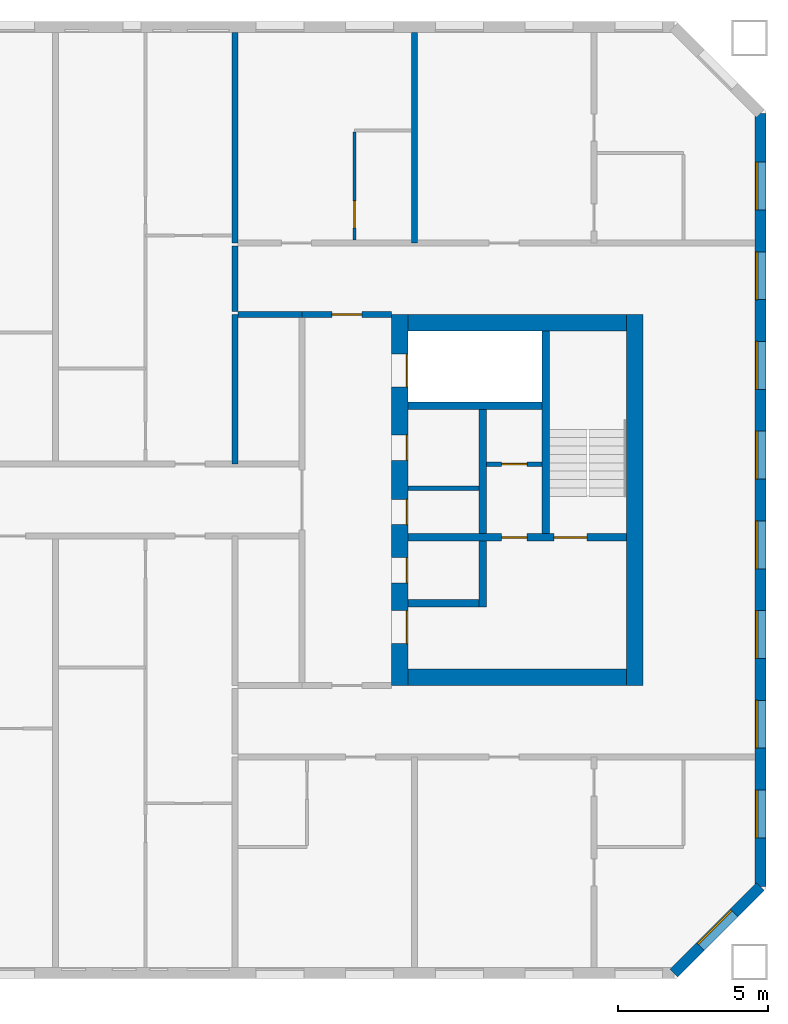
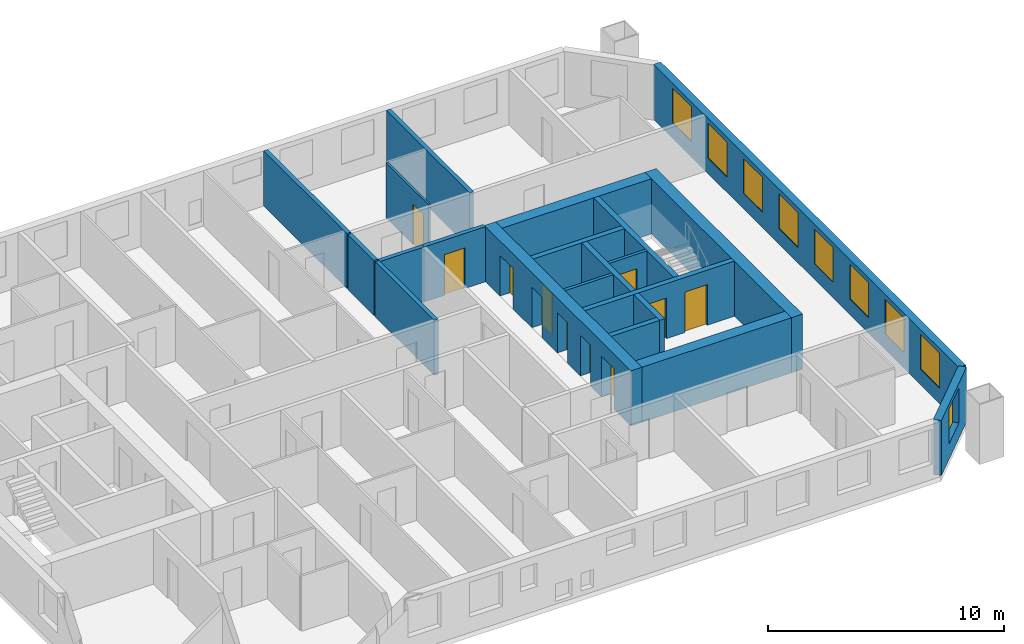
# One storey, part 13 of 16: 21 walls, 10 doors, 9 windows, 19 openings.
"""IFC4 building model written with IfcOpenShell, lengths in metres."""

from ifc_helpers import new_model, si_unit, direction, frame, frame_2d, origin, place, context, subcontext, project, spatial, rectangle, extrude, material, layer, layer_set, type_object, element, fill, save


model = new_model("IFC4")

# Units and contexts
model_context = context("Model", 3, precision=1e-05, world=origin(), true_north=direction((0.0, 1.0)))
body_context = subcontext(model_context, "Body", "Model", "MODEL_VIEW")
ifc_project = project(units=[si_unit("LENGTHUNIT", "METRE"), si_unit("AREAUNIT", "SQUARE_METRE"), si_unit("VOLUMEUNIT", "CUBIC_METRE"), si_unit("PLANEANGLEUNIT", "RADIAN"), si_unit("MASSUNIT", "GRAM", prefix="KILO")], contexts=[model_context])

# Site, building, storey
site_placement = place(None, origin())
site = spatial("IfcSite", under=ifc_project, at=site_placement, CompositionType="ELEMENT")
building_placement = place(site_placement, origin())
building = spatial("IfcBuilding", under=site, at=building_placement, Name="Tuart Gate Housing", CompositionType="ELEMENT")
storey_placement = place(building_placement, frame((0.0, 0.0, 139.199951171875)))
storey = spatial("IfcBuildingStorey", under=building, at=storey_placement, Name="L39", CompositionType="ELEMENT", Elevation=139.199951171875)

# Wall, opening, window
ifc_material_1 = material(Name="Brick", Category="masonry")
ifc_layer_1 = layer(ifc_material_1, 0.360107421875)
ifc_layer_set_1 = layer_set([ifc_layer_1], Name="Brick pier and spandrel wall 360")
wall_type_1 = type_object("IfcWallType", Name="Brick pier and spandrel wall 360", PredefinedType="STANDARD", material=ifc_layer_set_1)
wall_1_placement = place(storey_placement, frame((169.67529296875, 54.179931640625, 0.0), z_axis=(0.0, 0.0, 1.0), x_axis=(0.707106781187, 0.707106781187, 0.0)))
wall_1 = element("IfcWall", 1, at=wall_1_placement, inside=storey, type_object=wall_type_1, Name="External wall B-SE L39", PredefinedType="STANDARD", context=body_context, shape_type="SweptSolid", body=[
    extrude(rectangle(XDim=4.09375, YDim=0.360107421875, at=frame_2d((2.046875, 0.0))), origin(), (0.0, 0.0, 1.0), 2.85009765625),
])
opening_1_placement = place(wall_1_placement, frame((1.2470703125, 0.0, 0.800048828125)))
opening_1 = element("IfcOpeningElement", 2, at=opening_1_placement, cuts=wall_1, Name="Opening W1", PredefinedType="OPENING", context=body_context, shape_type="SweptSolid", body=[
    extrude(rectangle(XDim=1.60009765625, YDim=1.800048828125, at=frame_2d((0.800048828125, 0.89990234375))), frame((0.0, 0.18994140625, 0.0), z_axis=(0.0, -1.0, 0.0), x_axis=(1.0, 0.0, 0.0)), (0.0, 0.0, 1.0), 0.380126953125),
])
ifc_material_2 = material(Name="Aluminium frame with clear glass", Category="aluminium")
window_type = type_object("IfcWindowType", Name="Punched window 1600 x 1800", PartitioningType="SINGLE_PANEL", PredefinedType="WINDOW", material=ifc_material_2)
window_1_placement = place(opening_1_placement, origin())
window_1 = element("IfcWindow", 3, at=window_1_placement, inside=storey, type_object=window_type, Name="Window W1", OverallHeight=1.800048828125, OverallWidth=1.60009765625, PartitioningType="SINGLE_PANEL", PredefinedType="WINDOW", context=body_context, shape_type="SweptSolid", body=[
    extrude(rectangle(XDim=1.60009765625, YDim=1.800048828125, at=frame_2d((0.800048828125, 0.89990234375))), frame((0.0, 0.150146484375, 0.0), z_axis=(0.0, -1.0, 0.0), x_axis=(1.0, 0.0, 0.0)), (0.0, 0.0, 1.0), 0.06005859375),
])
fill(opening_1, window_1)

# Wall, openings, windows
wall_2_placement = place(storey_placement, frame((172.570068359375, 57.07470703125, 0.0), z_axis=(0.0, 0.0, 1.0), x_axis=(0.0, 1.0, 0.0)))
wall_2 = element("IfcWall", 4, at=wall_2_placement, inside=storey, type_object=wall_type_1, Name="External wall B-E L39", PredefinedType="STANDARD", context=body_context, shape_type="SweptSolid", body=[
    extrude(rectangle(XDim=25.850830078125, YDim=0.360107421875, at=frame_2d((12.92529296875, 0.0))), origin(), (0.0, 0.0, 1.0), 2.85009765625),
])
opening_2_placement = place(wall_2_placement, frame((1.62548828125, 0.0, 0.800048828125)))
opening_2 = element("IfcOpeningElement", 5, at=opening_2_placement, cuts=wall_2, Name="Opening W1", PredefinedType="OPENING", context=body_context, shape_type="SweptSolid", body=[
    extrude(rectangle(XDim=1.60009765625, YDim=1.800048828125, at=frame_2d((0.800048828125, 0.89990234375))), frame((0.0, 0.18994140625, 0.0), z_axis=(0.0, -1.0, 0.0), x_axis=(1.0, 0.0, 0.0)), (0.0, 0.0, 1.0), 0.380126953125),
])
opening_3_placement = place(wall_2_placement, frame((4.62548828125, 0.0, 0.800048828125)))
opening_3 = element("IfcOpeningElement", 6, at=opening_3_placement, cuts=wall_2, Name="Opening W1", PredefinedType="OPENING", context=body_context, shape_type="SweptSolid", body=[
    extrude(rectangle(XDim=1.60009765625, YDim=1.800048828125, at=frame_2d((0.800048828125, 0.89990234375))), frame((0.0, 0.18994140625, 0.0), z_axis=(0.0, -1.0, 0.0), x_axis=(1.0, 0.0, 0.0)), (0.0, 0.0, 1.0), 0.380126953125),
])
opening_4_placement = place(wall_2_placement, frame((7.62548828125, 0.0, 0.800048828125)))
opening_4 = element("IfcOpeningElement", 7, at=opening_4_placement, cuts=wall_2, Name="Opening W1", PredefinedType="OPENING", context=body_context, shape_type="SweptSolid", body=[
    extrude(rectangle(XDim=1.60009765625, YDim=1.800048828125, at=frame_2d((0.800048828125, 0.89990234375))), frame((0.0, 0.18994140625, 0.0), z_axis=(0.0, -1.0, 0.0), x_axis=(1.0, 0.0, 0.0)), (0.0, 0.0, 1.0), 0.380126953125),
])
opening_5_placement = place(wall_2_placement, frame((10.62548828125, 0.0, 0.800048828125)))
opening_5 = element("IfcOpeningElement", 8, at=opening_5_placement, cuts=wall_2, Name="Opening W1", PredefinedType="OPENING", context=body_context, shape_type="SweptSolid", body=[
    extrude(rectangle(XDim=1.60009765625, YDim=1.800048828125, at=frame_2d((0.800048828125, 0.89990234375))), frame((0.0, 0.18994140625, 0.0), z_axis=(0.0, -1.0, 0.0), x_axis=(1.0, 0.0, 0.0)), (0.0, 0.0, 1.0), 0.380126953125),
])
opening_6_placement = place(wall_2_placement, frame((13.62548828125, 0.0, 0.800048828125)))
opening_6 = element("IfcOpeningElement", 9, at=opening_6_placement, cuts=wall_2, Name="Opening W1", PredefinedType="OPENING", context=body_context, shape_type="SweptSolid", body=[
    extrude(rectangle(XDim=1.60009765625, YDim=1.800048828125, at=frame_2d((0.800048828125, 0.89990234375))), frame((0.0, 0.18994140625, 0.0), z_axis=(0.0, -1.0, 0.0), x_axis=(1.0, 0.0, 0.0)), (0.0, 0.0, 1.0), 0.380126953125),
])
opening_7_placement = place(wall_2_placement, frame((16.62548828125, 0.0, 0.800048828125)))
opening_7 = element("IfcOpeningElement", 10, at=opening_7_placement, cuts=wall_2, Name="Opening W1", PredefinedType="OPENING", context=body_context, shape_type="SweptSolid", body=[
    extrude(rectangle(XDim=1.60009765625, YDim=1.800048828125, at=frame_2d((0.800048828125, 0.89990234375))), frame((0.0, 0.18994140625, 0.0), z_axis=(0.0, -1.0, 0.0), x_axis=(1.0, 0.0, 0.0)), (0.0, 0.0, 1.0), 0.380126953125),
])
opening_8_placement = place(wall_2_placement, frame((19.62548828125, 0.0, 0.800048828125)))
opening_8 = element("IfcOpeningElement", 11, at=opening_8_placement, cuts=wall_2, Name="Opening W1", PredefinedType="OPENING", context=body_context, shape_type="SweptSolid", body=[
    extrude(rectangle(XDim=1.60009765625, YDim=1.800048828125, at=frame_2d((0.800048828125, 0.89990234375))), frame((0.0, 0.18994140625, 0.0), z_axis=(0.0, -1.0, 0.0), x_axis=(1.0, 0.0, 0.0)), (0.0, 0.0, 1.0), 0.380126953125),
])
opening_9_placement = place(wall_2_placement, frame((22.62548828125, 0.0, 0.800048828125)))
opening_9 = element("IfcOpeningElement", 12, at=opening_9_placement, cuts=wall_2, Name="Opening W1", PredefinedType="OPENING", context=body_context, shape_type="SweptSolid", body=[
    extrude(rectangle(XDim=1.60009765625, YDim=1.800048828125, at=frame_2d((0.800048828125, 0.89990234375))), frame((0.0, 0.18994140625, 0.0), z_axis=(0.0, -1.0, 0.0), x_axis=(1.0, 0.0, 0.0)), (0.0, 0.0, 1.0), 0.380126953125),
])
window_2_placement = place(opening_2_placement, origin())
window_2 = element("IfcWindow", 13, at=window_2_placement, inside=storey, type_object=window_type, Name="Window W1", OverallHeight=1.800048828125, OverallWidth=1.60009765625, PartitioningType="SINGLE_PANEL", PredefinedType="WINDOW", context=body_context, shape_type="SweptSolid", body=[
    extrude(rectangle(XDim=1.60009765625, YDim=1.800048828125, at=frame_2d((0.800048828125, 0.89990234375))), frame((0.0, 0.150146484375, 0.0), z_axis=(0.0, -1.0, 0.0), x_axis=(1.0, 0.0, 0.0)), (0.0, 0.0, 1.0), 0.06005859375),
])
fill(opening_2, window_2)
window_3_placement = place(opening_3_placement, origin())
window_3 = element("IfcWindow", 14, at=window_3_placement, inside=storey, type_object=window_type, Name="Window W1", OverallHeight=1.800048828125, OverallWidth=1.60009765625, PartitioningType="SINGLE_PANEL", PredefinedType="WINDOW", context=body_context, shape_type="SweptSolid", body=[
    extrude(rectangle(XDim=1.60009765625, YDim=1.800048828125, at=frame_2d((0.800048828125, 0.89990234375))), frame((0.0, 0.150146484375, 0.0), z_axis=(0.0, -1.0, 0.0), x_axis=(1.0, 0.0, 0.0)), (0.0, 0.0, 1.0), 0.06005859375),
])
fill(opening_3, window_3)
window_4_placement = place(opening_4_placement, origin())
window_4 = element("IfcWindow", 15, at=window_4_placement, inside=storey, type_object=window_type, Name="Window W1", OverallHeight=1.800048828125, OverallWidth=1.60009765625, PartitioningType="SINGLE_PANEL", PredefinedType="WINDOW", context=body_context, shape_type="SweptSolid", body=[
    extrude(rectangle(XDim=1.60009765625, YDim=1.800048828125, at=frame_2d((0.800048828125, 0.89990234375))), frame((0.0, 0.150146484375, 0.0), z_axis=(0.0, -1.0, 0.0), x_axis=(1.0, 0.0, 0.0)), (0.0, 0.0, 1.0), 0.06005859375),
])
fill(opening_4, window_4)
window_5_placement = place(opening_5_placement, origin())
window_5 = element("IfcWindow", 16, at=window_5_placement, inside=storey, type_object=window_type, Name="Window W1", OverallHeight=1.800048828125, OverallWidth=1.60009765625, PartitioningType="SINGLE_PANEL", PredefinedType="WINDOW", context=body_context, shape_type="SweptSolid", body=[
    extrude(rectangle(XDim=1.60009765625, YDim=1.800048828125, at=frame_2d((0.800048828125, 0.89990234375))), frame((0.0, 0.150146484375, 0.0), z_axis=(0.0, -1.0, 0.0), x_axis=(1.0, 0.0, 0.0)), (0.0, 0.0, 1.0), 0.06005859375),
])
fill(opening_5, window_5)
window_6_placement = place(opening_6_placement, origin())
window_6 = element("IfcWindow", 17, at=window_6_placement, inside=storey, type_object=window_type, Name="Window W1", OverallHeight=1.800048828125, OverallWidth=1.60009765625, PartitioningType="SINGLE_PANEL", PredefinedType="WINDOW", context=body_context, shape_type="SweptSolid", body=[
    extrude(rectangle(XDim=1.60009765625, YDim=1.800048828125, at=frame_2d((0.800048828125, 0.89990234375))), frame((0.0, 0.150146484375, 0.0), z_axis=(0.0, -1.0, 0.0), x_axis=(1.0, 0.0, 0.0)), (0.0, 0.0, 1.0), 0.06005859375),
])
fill(opening_6, window_6)
window_7_placement = place(opening_7_placement, origin())
window_7 = element("IfcWindow", 18, at=window_7_placement, inside=storey, type_object=window_type, Name="Window W1", OverallHeight=1.800048828125, OverallWidth=1.60009765625, PartitioningType="SINGLE_PANEL", PredefinedType="WINDOW", context=body_context, shape_type="SweptSolid", body=[
    extrude(rectangle(XDim=1.60009765625, YDim=1.800048828125, at=frame_2d((0.800048828125, 0.89990234375))), frame((0.0, 0.150146484375, 0.0), z_axis=(0.0, -1.0, 0.0), x_axis=(1.0, 0.0, 0.0)), (0.0, 0.0, 1.0), 0.06005859375),
])
fill(opening_7, window_7)
window_8_placement = place(opening_8_placement, origin())
window_8 = element("IfcWindow", 19, at=window_8_placement, inside=storey, type_object=window_type, Name="Window W1", OverallHeight=1.800048828125, OverallWidth=1.60009765625, PartitioningType="SINGLE_PANEL", PredefinedType="WINDOW", context=body_context, shape_type="SweptSolid", body=[
    extrude(rectangle(XDim=1.60009765625, YDim=1.800048828125, at=frame_2d((0.800048828125, 0.89990234375))), frame((0.0, 0.150146484375, 0.0), z_axis=(0.0, -1.0, 0.0), x_axis=(1.0, 0.0, 0.0)), (0.0, 0.0, 1.0), 0.06005859375),
])
fill(opening_8, window_8)
window_9_placement = place(opening_9_placement, origin())
window_9 = element("IfcWindow", 20, at=window_9_placement, inside=storey, type_object=window_type, Name="Window W1", OverallHeight=1.800048828125, OverallWidth=1.60009765625, PartitioningType="SINGLE_PANEL", PredefinedType="WINDOW", context=body_context, shape_type="SweptSolid", body=[
    extrude(rectangle(XDim=1.60009765625, YDim=1.800048828125, at=frame_2d((0.800048828125, 0.89990234375))), frame((0.0, 0.150146484375, 0.0), z_axis=(0.0, -1.0, 0.0), x_axis=(1.0, 0.0, 0.0)), (0.0, 0.0, 1.0), 0.06005859375),
])
fill(opening_9, window_9)

# Wall, opening, door
ifc_material_3 = material(Name="Plasterboard partition")
ifc_layer_2 = layer(ifc_material_3, 0.14990234375)
ifc_layer_set_2 = layer_set([ifc_layer_2], Name="Core partition 150")
wall_type_2 = type_object("IfcWallType", Name="Core partition 150", PredefinedType="PARTITIONING", material=ifc_layer_set_2)
wall_3_placement = place(storey_placement, frame((163.4150390625, 71.199951171875, 0.0), z_axis=(0.0, 0.0, 1.0), x_axis=(1.0, 0.0, 0.0)))
wall_3 = element("IfcWall", 21, at=wall_3_placement, inside=storey, type_object=wall_type_2, Name="Core partition BK.2", PredefinedType="PARTITIONING", context=body_context, shape_type="SweptSolid", body=[
    extrude(rectangle(XDim=1.849853515625, YDim=0.14990234375, at=frame_2d((0.9248046875, 0.0))), origin(), (0.0, 0.0, 1.0), 2.85009765625),
])
opening_10_placement = place(wall_3_placement, frame((0.5, 0.0, 0.0)))
opening_10 = element("IfcOpeningElement", 22, at=opening_10_placement, cuts=wall_3, Name="Opening D1486", PredefinedType="OPENING", context=body_context, shape_type="SweptSolid", body=[
    extrude(rectangle(XDim=0.85009765625, YDim=2.10009765625, at=frame_2d((0.425048828125, 1.050048828125))), frame((0.0, 0.0849609375, 0.0), z_axis=(0.0, -1.0, 0.0), x_axis=(1.0, 0.0, 0.0)), (0.0, 0.0, 1.0), 0.169921875),
])
ifc_material_4 = material(Name="Steel fire door", Category="steel")
door_type_1 = type_object("IfcDoorType", Name="Service door 850 x 2100 RH", OperationType="SINGLE_SWING_RIGHT", PredefinedType="DOOR", material=ifc_material_4)
door_1_placement = place(opening_10_placement, frame((0.85009765625, 0.0, 0.0), z_axis=(0.0, 0.0, 1.0), x_axis=(-1.0, 0.0, 0.0)))
door_1 = element("IfcDoor", 23, at=door_1_placement, inside=storey, type_object=door_type_1, Name="Service room door BK.W2", OperationType="SINGLE_SWING_RIGHT", OverallHeight=2.10009765625, OverallWidth=0.85009765625, PredefinedType="DOOR", context=body_context, shape_type="SweptSolid", body=[
    extrude(rectangle(XDim=0.85009765625, YDim=2.10009765625, at=frame_2d((0.425048828125, 1.050048828125))), frame((0.0, 0.025146484375, 0.0), z_axis=(0.0, -1.0, 0.0), x_axis=(1.0, 0.0, 0.0)), (0.0, 0.0, 1.0), 0.050048828125),
])
fill(opening_10, door_1)

# Walls
wall_4_placement = place(storey_placement, frame((160.7900390625, 70.39990234375, 0.0), z_axis=(0.0, 0.0, 1.0), x_axis=(1.0, 0.0, 0.0)))
element("IfcWall", 24, at=wall_4_placement, inside=storey, type_object=wall_type_2, Name="Core partition BK.3", PredefinedType="PARTITIONING", context=body_context, shape_type="SweptSolid", body=[
    extrude(rectangle(XDim=2.375, YDim=0.14990234375, at=frame_2d((1.1875, 0.0))), origin(), (0.0, 0.0, 1.0), 2.85009765625),
])
ifc_material_5 = material(Name="Concrete C50", Category="concrete")
ifc_layer_3 = layer(ifc_material_5, 0.25)
ifc_layer_set_3 = layer_set([ifc_layer_3], Name="Core wall 250 C50")
wall_type_3 = type_object("IfcWallType", Name="Core wall 250 C50", PredefinedType="SHEAR", material=ifc_layer_set_3)
wall_5_placement = place(storey_placement, frame((160.7900390625, 73.14990234375, 0.0), z_axis=(0.0, 0.0, 1.0), x_axis=(1.0, 0.0, 0.0)))
element("IfcWall", 25, at=wall_5_placement, inside=storey, type_object=wall_type_3, Name="Core wall BK.1", PredefinedType="SHEAR", context=body_context, shape_type="SweptSolid", body=[
    extrude(rectangle(XDim=4.474853515625, YDim=0.25, at=frame_2d((2.2373046875, 0.0))), origin(), (0.0, 0.0, 1.0), 2.85009765625),
])

# Wall, openings, doors
wall_6_placement = place(storey_placement, frame((160.7900390625, 68.75, 0.0), z_axis=(0.0, 0.0, 1.0), x_axis=(1.0, 0.0, 0.0)))
wall_6 = element("IfcWall", 26, at=wall_6_placement, inside=storey, type_object=wall_type_3, Name="Core wall BK.4", PredefinedType="SHEAR", context=body_context, shape_type="SweptSolid", body=[
    extrude(rectangle(XDim=7.300048828125, YDim=0.25, at=frame_2d((3.64990234375, 0.0))), origin(), (0.0, 0.0, 1.0), 2.85009765625),
])
opening_11_placement = place(wall_6_placement, frame((4.875, 0.0, 0.0)))
opening_11 = element("IfcOpeningElement", 27, at=opening_11_placement, cuts=wall_6, Name="Opening D1498", PredefinedType="OPENING", context=body_context, shape_type="SweptSolid", body=[
    extrude(rectangle(XDim=1.10009765625, YDim=2.10009765625, at=frame_2d((0.550048828125, 1.050048828125))), frame((0.0, 0.135009765625, 0.0), z_axis=(0.0, -1.0, 0.0), x_axis=(1.0, 0.0, 0.0)), (0.0, 0.0, 1.0), 0.27001953125),
])
opening_12_placement = place(wall_6_placement, frame((3.125, 0.0, 0.0)))
opening_12 = element("IfcOpeningElement", 28, at=opening_12_placement, cuts=wall_6, Name="Opening D1497", PredefinedType="OPENING", context=body_context, shape_type="SweptSolid", body=[
    extrude(rectangle(XDim=0.85009765625, YDim=2.10009765625, at=frame_2d((0.425048828125, 1.050048828125))), frame((0.0, 0.135009765625, 0.0), z_axis=(0.0, -1.0, 0.0), x_axis=(1.0, 0.0, 0.0)), (0.0, 0.0, 1.0), 0.27001953125),
])
ifc_material_6 = material(Name="Steel fire door", Category="steel")
door_type_2 = type_object("IfcDoorType", Name="Riser door 850 x 2100", OperationType="SINGLE_SWING_LEFT", PredefinedType="DOOR", material=ifc_material_6)
door_2_placement = place(opening_12_placement, origin())
door_2 = element("IfcDoor", 29, at=door_2_placement, inside=storey, type_object=door_type_2, Name="Service room door BK.W1", OperationType="SINGLE_SWING_LEFT", OverallHeight=2.10009765625, OverallWidth=0.85009765625, PredefinedType="DOOR", context=body_context, shape_type="SweptSolid", body=[
    extrude(rectangle(XDim=0.85009765625, YDim=2.10009765625, at=frame_2d((0.425048828125, 1.050048828125))), frame((0.0, 0.02490234375, 0.0), z_axis=(0.0, -1.0, 0.0), x_axis=(1.0, 0.0, 0.0)), (0.0, 0.0, 1.0), 0.050048828125),
])
fill(opening_12, door_2)
ifc_material_7 = material(Name="Steel fire door", Category="steel")
door_type_3 = type_object("IfcDoorType", Name="Stair door 1100 x 2100", OperationType="SINGLE_SWING_LEFT", PredefinedType="DOOR", material=ifc_material_7)
door_3_placement = place(opening_11_placement, origin())
door_3 = element("IfcDoor", 30, at=door_3_placement, inside=storey, type_object=door_type_3, Name="Stair door BK.SD", OperationType="SINGLE_SWING_LEFT", OverallHeight=2.10009765625, OverallWidth=1.10009765625, PredefinedType="DOOR", context=body_context, shape_type="SweptSolid", body=[
    extrude(rectangle(XDim=1.10009765625, YDim=2.10009765625, at=frame_2d((0.550048828125, 1.050048828125))), frame((0.0, 0.02490234375, 0.0), z_axis=(0.0, -1.0, 0.0), x_axis=(1.0, 0.0, 0.0)), (0.0, 0.0, 1.0), 0.050048828125),
])
fill(opening_11, door_3)

# Walls
wall_7_placement = place(storey_placement, frame((160.7900390625, 66.550048828125, 0.0), z_axis=(0.0, 0.0, 1.0), x_axis=(1.0, 0.0, 0.0)))
element("IfcWall", 31, at=wall_7_placement, inside=storey, type_object=wall_type_3, Name="Core wall BK.5", PredefinedType="SHEAR", context=body_context, shape_type="SweptSolid", body=[
    extrude(rectangle(XDim=2.375, YDim=0.25, at=frame_2d((1.1875, 0.0))), origin(), (0.0, 0.0, 1.0), 2.85009765625),
])
wall_8_placement = place(storey_placement, frame((163.2900390625, 73.02490234375, 0.0), z_axis=(0.0, 0.0, 1.0), x_axis=(0.0, -1.0, 0.0)))
element("IfcWall", 32, at=wall_8_placement, inside=storey, type_object=wall_type_3, Name="Core wall BK.6", PredefinedType="SHEAR", context=body_context, shape_type="SweptSolid", body=[
    extrude(rectangle(XDim=4.14990234375, YDim=0.25, at=frame_2d((2.074951171875, 0.0))), origin(), (0.0, 0.0, 1.0), 2.85009765625),
])
wall_9_placement = place(storey_placement, frame((163.2900390625, 68.625, 0.0), z_axis=(0.0, 0.0, 1.0), x_axis=(0.0, -1.0, 0.0)))
element("IfcWall", 33, at=wall_9_placement, inside=storey, type_object=wall_type_3, Name="Core wall BK.7", PredefinedType="SHEAR", context=body_context, shape_type="SweptSolid", body=[
    extrude(rectangle(XDim=2.199951171875, YDim=0.25, at=frame_2d((1.10009765625, 0.0))), origin(), (0.0, 0.0, 1.0), 2.85009765625),
])
wall_10_placement = place(storey_placement, frame((165.389892578125, 75.64990234375, 0.0), z_axis=(0.0, 0.0, 1.0), x_axis=(0.0, -1.0, 0.0)))
element("IfcWall", 34, at=wall_10_placement, inside=storey, type_object=wall_type_3, Name="Core wall BK.8", PredefinedType="SHEAR", context=body_context, shape_type="SweptSolid", body=[
    extrude(rectangle(XDim=6.77490234375, YDim=0.25, at=frame_2d((3.387451171875, 0.0))), origin(), (0.0, 0.0, 1.0), 2.85009765625),
])

# Wall, openings, doors
ifc_material_8 = material(Name="Concrete C50", Category="concrete")
ifc_layer_4 = layer(ifc_material_8, 0.550048828125)
ifc_layer_set_4 = layer_set([ifc_layer_4], Name="Core wall 550 C50")
wall_type_4 = type_object("IfcWallType", Name="Core wall 550 C50", PredefinedType="SHEAR", material=ifc_layer_set_4)
wall_11_placement = place(storey_placement, frame((160.514892578125, 76.199951171875, 0.0), z_axis=(0.0, 0.0, 1.0), x_axis=(0.0, -1.0, 0.0)))
wall_11 = element("IfcWall", 35, at=wall_11_placement, inside=storey, type_object=wall_type_4, Name="Core wall BK front", PredefinedType="SHEAR", context=body_context, shape_type="SweptSolid", body=[
    extrude(rectangle(XDim=12.39990234375, YDim=0.550048828125, at=frame_2d((6.199951171875, 0.0))), origin(), (0.0, 0.0, 1.0), 2.85009765625),
])
opening_13_placement = place(wall_11_placement, frame((1.324951171875, 0.0, 0.0)))
opening_13 = element("IfcOpeningElement", 36, at=opening_13_placement, cuts=wall_11, Name="Opening LD-FB2", PredefinedType="OPENING", context=body_context, shape_type="SweptSolid", body=[
    extrude(rectangle(XDim=1.10009765625, YDim=2.10009765625, at=frame_2d((0.550048828125, 1.050048828125))), frame((0.0, 0.284912109375, 0.0), z_axis=(0.0, -1.0, 0.0), x_axis=(1.0, 0.0, 0.0)), (0.0, 0.0, 1.0), 0.570068359375),
])
opening_14_placement = place(wall_11_placement, frame((4.02490234375, 0.0, 0.0)))
opening_14 = element("IfcOpeningElement", 37, at=opening_14_placement, cuts=wall_11, Name="Opening D1492", PredefinedType="OPENING", context=body_context, shape_type="SweptSolid", body=[
    extrude(rectangle(XDim=0.85009765625, YDim=2.10009765625, at=frame_2d((0.425048828125, 1.050048828125))), frame((0.0, 0.284912109375, 0.0), z_axis=(0.0, -1.0, 0.0), x_axis=(1.0, 0.0, 0.0)), (0.0, 0.0, 1.0), 0.570068359375),
])
opening_15_placement = place(wall_11_placement, frame((6.175048828125, 0.0, 0.0)))
opening_15 = element("IfcOpeningElement", 38, at=opening_15_placement, cuts=wall_11, Name="Opening D1493", PredefinedType="OPENING", context=body_context, shape_type="SweptSolid", body=[
    extrude(rectangle(XDim=0.85009765625, YDim=2.10009765625, at=frame_2d((0.425048828125, 1.050048828125))), frame((0.0, 0.284912109375, 0.0), z_axis=(0.0, -1.0, 0.0), x_axis=(1.0, 0.0, 0.0)), (0.0, 0.0, 1.0), 0.570068359375),
])
opening_16_placement = place(wall_11_placement, frame((9.89990234375, 0.0, 0.0)))
opening_16 = element("IfcOpeningElement", 39, at=opening_16_placement, cuts=wall_11, Name="Opening D1491", PredefinedType="OPENING", context=body_context, shape_type="SweptSolid", body=[
    extrude(rectangle(XDim=1.10009765625, YDim=2.10009765625, at=frame_2d((0.550048828125, 1.050048828125))), frame((0.0, 0.284912109375, 0.0), z_axis=(0.0, -1.0, 0.0), x_axis=(1.0, 0.0, 0.0)), (0.0, 0.0, 1.0), 0.570068359375),
])
opening_17_placement = place(wall_11_placement, frame((8.125, 0.0, 0.0)))
opening_17 = element("IfcOpeningElement", 40, at=opening_17_placement, cuts=wall_11, Name="Opening D1494", PredefinedType="OPENING", context=body_context, shape_type="SweptSolid", body=[
    extrude(rectangle(XDim=0.85009765625, YDim=2.10009765625, at=frame_2d((0.425048828125, 1.050048828125))), frame((0.0, 0.284912109375, 0.0), z_axis=(0.0, -1.0, 0.0), x_axis=(1.0, 0.0, 0.0)), (0.0, 0.0, 1.0), 0.570068359375),
])
ifc_material_9 = material(Name="Stainless steel", Category="steel")
door_type_4 = type_object("IfcDoorType", Name="Landing door 1100 x 2100", OperationType="DOUBLE_DOOR_SLIDING", PredefinedType="DOOR", material=ifc_material_9)
door_4_placement = place(opening_13_placement, origin())
door_4 = element("IfcDoor", 41, at=door_4_placement, inside=storey, type_object=door_type_4, Name="Lift landing door FB2", OperationType="DOUBLE_DOOR_SLIDING", OverallHeight=2.10009765625, OverallWidth=1.10009765625, PredefinedType="DOOR", context=body_context, shape_type="SweptSolid", body=[
    extrude(rectangle(XDim=1.10009765625, YDim=2.10009765625, at=frame_2d((0.550048828125, 1.050048828125))), frame((0.0, 0.26025390625, 0.0), z_axis=(0.0, -1.0, 0.0), x_axis=(1.0, 0.0, 0.0)), (0.0, 0.0, 1.0), 0.050048828125),
])
fill(opening_13, door_4)
ifc_material_10 = material(Name="Steel fire door", Category="steel")
door_type_5 = type_object("IfcDoorType", Name="Lobby door 1100 x 2100", OperationType="SINGLE_SWING_LEFT", PredefinedType="DOOR", material=ifc_material_10)
door_5_placement = place(opening_16_placement, origin())
door_5 = element("IfcDoor", 42, at=door_5_placement, inside=storey, type_object=door_type_5, Name="Lobby entry door BK.EN", OperationType="SINGLE_SWING_LEFT", OverallHeight=2.10009765625, OverallWidth=1.10009765625, PredefinedType="DOOR", context=body_context, shape_type="SweptSolid", body=[
    extrude(rectangle(XDim=1.10009765625, YDim=2.10009765625, at=frame_2d((0.550048828125, 1.050048828125))), frame((0.0, 0.26025390625, 0.0), z_axis=(0.0, -1.0, 0.0), x_axis=(1.0, 0.0, 0.0)), (0.0, 0.0, 1.0), 0.050048828125),
])
fill(opening_16, door_5)
ifc_material_11 = material(Name="Steel fire door", Category="steel")
door_type_6 = type_object("IfcDoorType", Name="Service door 850 x 2100", OperationType="SINGLE_SWING_LEFT", PredefinedType="DOOR", material=ifc_material_11)
door_6_placement = place(opening_14_placement, origin())
door_6 = element("IfcDoor", 43, at=door_6_placement, inside=storey, type_object=door_type_6, Name="Service room door BK.FR1", OperationType="SINGLE_SWING_LEFT", OverallHeight=2.10009765625, OverallWidth=0.85009765625, PredefinedType="DOOR", context=body_context, shape_type="SweptSolid", body=[
    extrude(rectangle(XDim=0.85009765625, YDim=2.10009765625, at=frame_2d((0.425048828125, 1.050048828125))), frame((0.0, 0.26025390625, 0.0), z_axis=(0.0, -1.0, 0.0), x_axis=(1.0, 0.0, 0.0)), (0.0, 0.0, 1.0), 0.050048828125),
])
fill(opening_14, door_6)
door_7_placement = place(opening_15_placement, origin())
door_7 = element("IfcDoor", 44, at=door_7_placement, inside=storey, type_object=door_type_6, Name="Service room door BK.FR2", OperationType="SINGLE_SWING_LEFT", OverallHeight=2.10009765625, OverallWidth=0.85009765625, PredefinedType="DOOR", context=body_context, shape_type="SweptSolid", body=[
    extrude(rectangle(XDim=0.85009765625, YDim=2.10009765625, at=frame_2d((0.425048828125, 1.050048828125))), frame((0.0, 0.26025390625, 0.0), z_axis=(0.0, -1.0, 0.0), x_axis=(1.0, 0.0, 0.0)), (0.0, 0.0, 1.0), 0.050048828125),
])
fill(opening_15, door_7)
door_8_placement = place(opening_17_placement, origin())
door_8 = element("IfcDoor", 45, at=door_8_placement, inside=storey, type_object=door_type_6, Name="Service room door BK.T1", OperationType="SINGLE_SWING_LEFT", OverallHeight=2.10009765625, OverallWidth=0.85009765625, PredefinedType="DOOR", context=body_context, shape_type="SweptSolid", body=[
    extrude(rectangle(XDim=0.85009765625, YDim=2.10009765625, at=frame_2d((0.425048828125, 1.050048828125))), frame((0.0, 0.26025390625, 0.0), z_axis=(0.0, -1.0, 0.0), x_axis=(1.0, 0.0, 0.0)), (0.0, 0.0, 1.0), 0.050048828125),
])
fill(opening_17, door_8)

# Walls
wall_12_placement = place(storey_placement, frame((168.364990234375, 76.199951171875, 0.0), z_axis=(0.0, 0.0, 1.0), x_axis=(0.0, -1.0, 0.0)))
element("IfcWall", 46, at=wall_12_placement, inside=storey, type_object=wall_type_4, Name="Core wall BK back", PredefinedType="SHEAR", context=body_context, shape_type="SweptSolid", body=[
    extrude(rectangle(XDim=12.39990234375, YDim=0.550048828125, at=frame_2d((6.199951171875, 0.0))), origin(), (0.0, 0.0, 1.0), 2.85009765625),
])
for number, where, z_axis, x_axis, name in (
    (47, (160.7900390625, 75.925048828125, 0.0), (0.0, 0.0, 1.0), (1.0, 0.0, 0.0), "Core wall BK south"),
    (48, (160.7900390625, 64.074951171875, 0.0), (0.0, 0.0, 1.0), (1.0, 0.0, 0.0), "Core wall BK north"),
):
    element("IfcWall", number, at=place(storey_placement, frame(where, z_axis=z_axis, x_axis=x_axis)), inside=storey, type_object=wall_type_4, Name=name, PredefinedType="SHEAR", context=body_context, shape_type="SweptSolid", body=[
        extrude(rectangle(XDim=7.300048828125, YDim=0.550048828125, at=frame_2d((3.64990234375, 0.0))), origin(), (0.0, 0.0, 1.0), 2.85009765625),
    ])
ifc_material_12 = material(Name="Concrete masonry 15 MPa", Category="masonry")
ifc_layer_5 = layer(ifc_material_12, 0.199951171875)
ifc_layer_set_5 = layer_set([ifc_layer_5], Name="Corridor wall masonry 200")
wall_type_5 = type_object("IfcWallType", Name="Corridor wall masonry 200", PredefinedType="PARTITIONING", material=ifc_layer_set_5)
wall_13_placement = place(storey_placement, frame((155.10009765625, 76.199951171875, 0.0), z_axis=(0.0, 0.0, 1.0), x_axis=(1.0, 0.0, 0.0)))
element("IfcWall", 49, at=wall_13_placement, inside=storey, type_object=wall_type_5, Name="Corridor wall masonry 200", PredefinedType="PARTITIONING", context=body_context, shape_type="SweptSolid", body=[
    extrude(rectangle(XDim=2.139892578125, YDim=0.199951171875, at=frame_2d((1.06982421875, 0.0))), origin(), (0.0, 0.0, 1.0), 2.85009765625),
])
wall_14_placement = place(storey_placement, frame((155.0, 76.300048828125, 0.0), z_axis=(0.0, 0.0, 1.0), x_axis=(0.0, 1.0, 0.0)))
element("IfcWall", 50, at=wall_14_placement, inside=storey, type_object=wall_type_5, Name="Corridor wall masonry 200", PredefinedType="PARTITIONING", context=body_context, shape_type="SweptSolid", body=[
    extrude(rectangle(XDim=2.199951171875, YDim=0.199951171875, at=frame_2d((1.10009765625, 0.0))), origin(), (0.0, 0.0, 1.0), 2.85009765625),
])

# Wall, opening, door
ifc_material_13 = material(Name="Concrete masonry 15 MPa", Category="masonry")
ifc_layer_6 = layer(ifc_material_13, 0.199951171875)
ifc_layer_set_6 = layer_set([ifc_layer_6], Name="Enclosure wall masonry 200")
wall_type_6 = type_object("IfcWallType", Name="Enclosure wall masonry 200", PredefinedType="PARTITIONING", material=ifc_layer_set_6)
wall_15_placement = place(storey_placement, frame((157.239990234375, 76.199951171875, 0.0), z_axis=(0.0, 0.0, 1.0), x_axis=(1.0, 0.0, 0.0)))
wall_15 = element("IfcWall", 51, at=wall_15_placement, inside=storey, type_object=wall_type_6, Name="Enclosure wall masonry 200", PredefinedType="PARTITIONING", context=body_context, shape_type="SweptSolid", body=[
    extrude(rectangle(XDim=3.0, YDim=0.199951171875, at=frame_2d((1.5, 0.0))), origin(), (0.0, 0.0, 1.0), 2.85009765625),
])
opening_18_placement = place(wall_15_placement, frame((1.0, 0.0, 0.0)))
opening_18 = element("IfcOpeningElement", 52, at=opening_18_placement, cuts=wall_15, Name="Opening D1480", PredefinedType="OPENING", context=body_context, shape_type="SweptSolid", body=[
    extrude(rectangle(XDim=1.0, YDim=2.10009765625, at=frame_2d((0.5, 1.050048828125))), frame((0.0, 0.10986328125, 0.0), z_axis=(0.0, -1.0, 0.0), x_axis=(1.0, 0.0, 0.0)), (0.0, 0.0, 1.0), 0.219970703125),
])
ifc_material_14 = material(Name="Timber door leaf in steel frame", Category="steel")
door_type_7 = type_object("IfcDoorType", Name="Fire door 1000", OperationType="SINGLE_SWING_LEFT", PredefinedType="DOOR", material=ifc_material_14)
door_9_placement = place(opening_18_placement, origin())
door_9 = element("IfcDoor", 53, at=door_9_placement, inside=storey, type_object=door_type_7, Name="Fire door", OperationType="SINGLE_SWING_LEFT", OverallHeight=2.10009765625, OverallWidth=1.0, PredefinedType="DOOR", context=body_context, shape_type="SweptSolid", body=[
    extrude(rectangle(XDim=1.0, YDim=2.10009765625, at=frame_2d((0.5, 1.050048828125))), frame((0.0, 0.02490234375, 0.0), z_axis=(0.0, -1.0, 0.0), x_axis=(1.0, 0.0, 0.0)), (0.0, 0.0, 1.0), 0.050048828125),
])
fill(opening_18, door_9)

ifc_material_15 = material(Name="Gypsum board on steel studs", Category="steel")
ifc_layer_7 = layer(ifc_material_15, 0.10009765625)
ifc_layer_set_7 = layer_set([ifc_layer_7], Name="Partition 100")
wall_type_7 = type_object("IfcWallType", Name="Partition 100", PredefinedType="PARTITIONING", material=ifc_layer_set_7)
wall_16_placement = place(storey_placement, frame((159.0, 78.699951171875, 0.0), z_axis=(0.0, 0.0, 1.0), x_axis=(0.0, 1.0, 0.0)))
wall_16 = element("IfcWall", 54, at=wall_16_placement, inside=storey, type_object=wall_type_7, Name="Partition 100", PredefinedType="PARTITIONING", context=body_context, shape_type="SweptSolid", body=[
    extrude(rectangle(XDim=3.60009765625, YDim=0.10009765625, at=frame_2d((1.800048828125, 0.0))), origin(), (0.0, 0.0, 1.0), 2.85009765625),
])
opening_19_placement = place(wall_16_placement, frame((0.39990234375, 0.0, 0.0)))
opening_19 = element("IfcOpeningElement", 55, at=opening_19_placement, cuts=wall_16, Name="Opening D1468", PredefinedType="OPENING", context=body_context, shape_type="SweptSolid", body=[
    extrude(rectangle(XDim=0.89990234375, YDim=2.10009765625, at=frame_2d((0.449951171875, 1.050048828125))), frame((0.0, 0.06005859375, 0.0), z_axis=(0.0, -1.0, 0.0), x_axis=(1.0, 0.0, 0.0)), (0.0, 0.0, 1.0), 0.1201171875),
])
ifc_material_16 = material(Name="Timber door leaf in steel frame", Category="steel")
door_type_8 = type_object("IfcDoorType", Name="Bathroom door 900 RH", OperationType="SINGLE_SWING_RIGHT", PredefinedType="DOOR", material=ifc_material_16)
door_10_placement = place(opening_19_placement, frame((0.89990234375, 0.0, 0.0), z_axis=(0.0, 0.0, 1.0), x_axis=(-1.0, 0.0, 0.0)))
door_10 = element("IfcDoor", 56, at=door_10_placement, inside=storey, type_object=door_type_8, Name="Bathroom door", OperationType="SINGLE_SWING_RIGHT", OverallHeight=2.10009765625, OverallWidth=0.89990234375, PredefinedType="DOOR", context=body_context, shape_type="SweptSolid", body=[
    extrude(rectangle(XDim=0.89990234375, YDim=2.10009765625, at=frame_2d((0.449951171875, 1.050048828125))), frame((0.0, 0.025146484375, 0.0), z_axis=(0.0, -1.0, 0.0), x_axis=(1.0, 0.0, 0.0)), (0.0, 0.0, 1.0), 0.050048828125),
])
fill(opening_19, door_10)

# Walls
ifc_material_17 = material(Name="Concrete C40", Category="concrete")
ifc_layer_8 = layer(ifc_material_17, 0.199951171875)
ifc_layer_set_8 = layer_set([ifc_layer_8], Name="Party wall concrete C40 200")
wall_type_8 = type_object("IfcWallType", Name="Party wall concrete C40 200", PredefinedType="SOLIDWALL", material=ifc_layer_set_8)
wall_17_placement = place(storey_placement, frame((155.0, 71.199951171875, 0.0), z_axis=(0.0, 0.0, 1.0), x_axis=(0.0, 1.0, 0.0)))
element("IfcWall", 57, at=wall_17_placement, inside=storey, type_object=wall_type_8, Name="Party wall concrete C40 200", PredefinedType="SOLIDWALL", context=body_context, shape_type="SweptSolid", body=[
    extrude(rectangle(XDim=5.0, YDim=0.199951171875, at=frame_2d((2.5, 0.0))), origin(), (0.0, 0.0, 1.0), 2.85009765625),
])
for number, where, z_axis, x_axis, name in (
    (58, (155.0, 78.60009765625, 0.0), (0.0, 0.0, 1.0), (0.0, 1.0, 0.0), "Party wall concrete C40 200"),
    (59, (161.0, 78.60009765625, 0.0), (0.0, 0.0, 1.0), (0.0, 1.0, 0.0), "Party wall concrete C40 200"),
):
    element("IfcWall", number, at=place(storey_placement, frame(where, z_axis=z_axis, x_axis=x_axis)), inside=storey, type_object=wall_type_8, Name=name, PredefinedType="SOLIDWALL", context=body_context, shape_type="SweptSolid", body=[
        extrude(rectangle(XDim=7.039794921875, YDim=0.199951171875, at=frame_2d((3.52001953125, 0.0))), origin(), (0.0, 0.0, 1.0), 2.85009765625),
    ])

save(model, "model.ifc")
